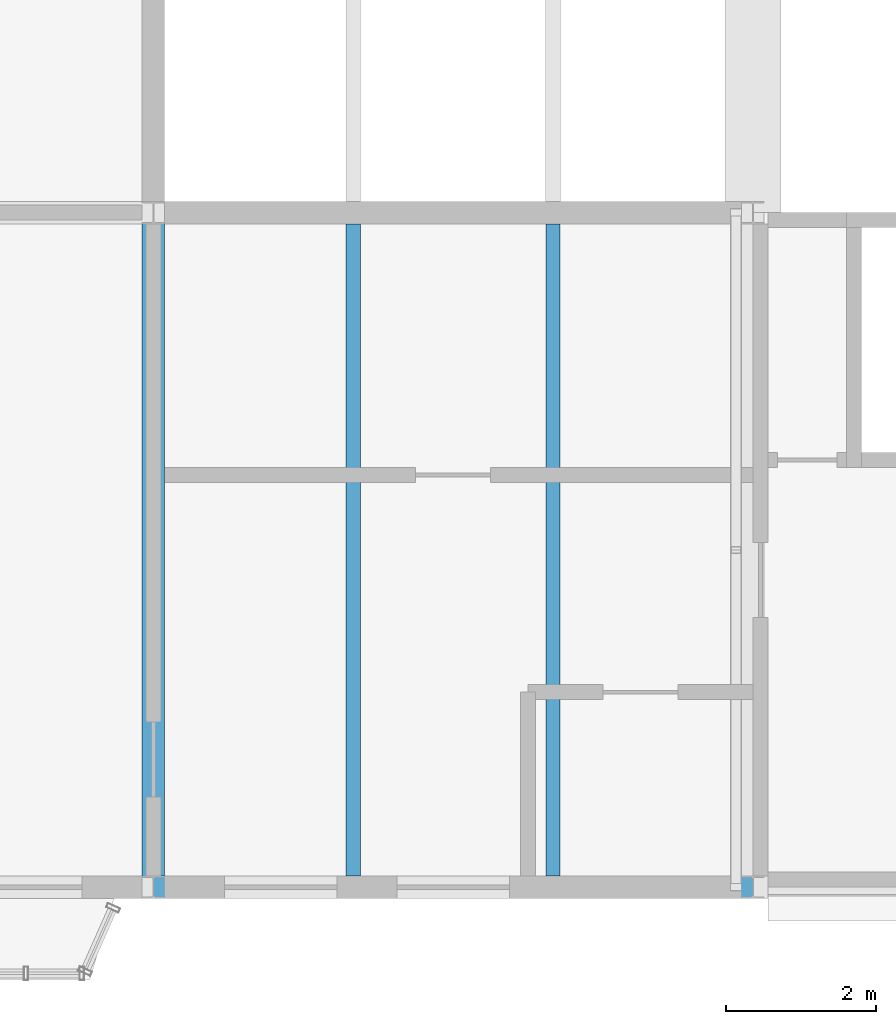
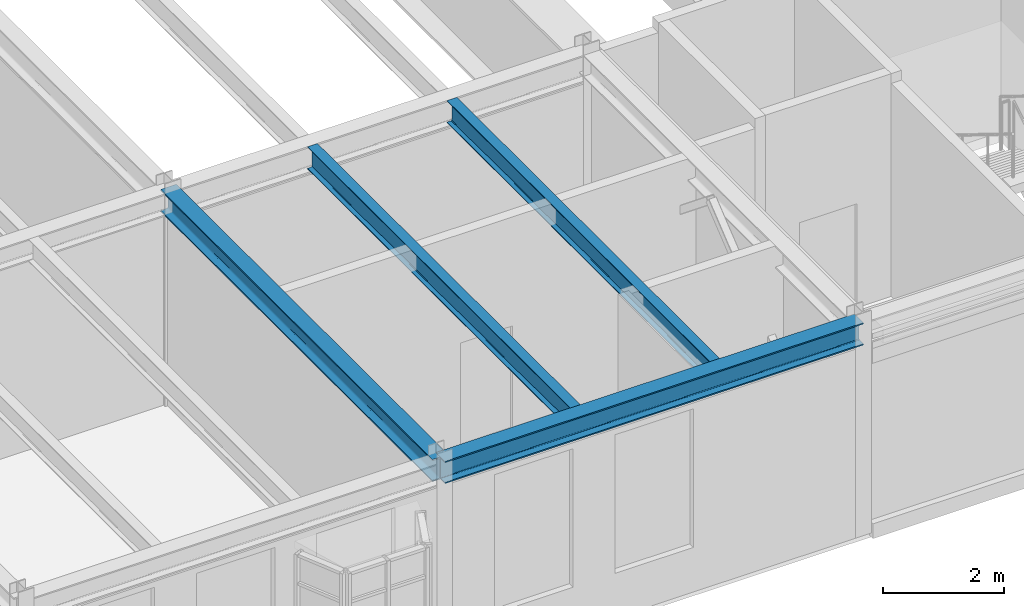
# One storey, part 17 of 153: 4 beams.
"""IFC4 building model written with IfcOpenShell, lengths in metres."""

from ifc_helpers import new_model, si_unit, direction, frame, origin, origin_2d, place, context, subcontext, project, spatial, i_section, extrude, material, material_profile, profile_set, type_object, element, save


model = new_model("IFC4")

# Units and contexts
model_context = context("Model", 3, precision=1e-05, world=origin(), true_north=direction((0.0, 1.0)))
body_context = subcontext(model_context, "Body", "Model", "MODEL_VIEW")
ifc_project = project(units=[si_unit("LENGTHUNIT", "METRE"), si_unit("AREAUNIT", "SQUARE_METRE"), si_unit("VOLUMEUNIT", "CUBIC_METRE"), si_unit("PLANEANGLEUNIT", "RADIAN"), si_unit("MASSUNIT", "GRAM", prefix="KILO")], contexts=[model_context])

# Site, building, storey
site_placement = place(None, origin())
site = spatial("IfcSite", under=ifc_project, at=site_placement, CompositionType="ELEMENT")
building_placement = place(site_placement, origin())
building = spatial("IfcBuilding", under=site, at=building_placement, Name="Kallimachos Central Library", CompositionType="ELEMENT")
storey_placement = place(building_placement, frame((0.0, 0.0, 5.39990234375)))
storey = spatial("IfcBuildingStorey", under=building, at=storey_placement, Name="L01", CompositionType="ELEMENT", Elevation=5.39990234375)

# Beams
ifc_material_1 = material(Name="Steel S355J2", Category="steel")
ifc_material_profile_1 = material_profile(ifc_material_1, i_section(OverallWidth=0.300048828125, OverallDepth=0.449951171875, WebThickness=0.013916015625, FlangeThickness=0.02587890625, FilletRadius=0.027099609375, at=origin_2d()), Name="HEB 450")
ifc_profile_set_1 = profile_set([ifc_material_profile_1], Name="Steel S355J2")
beam_type_1 = type_object("IfcBeamType", Name="HEB 450 beam", PredefinedType="BEAM", material=ifc_profile_set_1)
beam_1_placement = place(storey_placement, frame((14.0, 9.0, 4.0751953125), z_axis=(0.0, 1.0, 0.0), x_axis=(-1.0, 0.0, 0.0)))
element("IfcBeam", 1, at=beam_1_placement, inside=storey, type_object=beam_type_1, Name="V6-BEM-L01-008", PredefinedType="BEAM", context=body_context, shape_type="SweptSolid", body=[
    extrude(i_section(OverallWidth=0.300048828125, OverallDepth=0.449951171875, WebThickness=0.013916015625, FlangeThickness=0.02587890625, FilletRadius=0.027099609375, at=origin_2d()), origin(), (0.0, 0.0, 1.0), 9.0),
])
beam_2_placement = place(storey_placement, frame((14.0, 9.0, 4.0751953125), z_axis=(1.0, 0.0, 0.0), x_axis=(0.0, 1.0, 0.0)))
element("IfcBeam", 2, at=beam_2_placement, inside=storey, type_object=beam_type_1, Name="V6-BEM-L01-009", PredefinedType="BEAM", context=body_context, shape_type="SweptSolid", body=[
    extrude(i_section(OverallWidth=0.300048828125, OverallDepth=0.449951171875, WebThickness=0.013916015625, FlangeThickness=0.02587890625, FilletRadius=0.027099609375, at=origin_2d()), origin(), (0.0, 0.0, 1.0), 8.0),
])
ifc_material_2 = material(Name="Steel S355J2", Category="steel")
ifc_material_profile_2 = material_profile(ifc_material_2, i_section(OverallWidth=0.18994140625, OverallDepth=0.449951171875, WebThickness=0.009521484375, FlangeThickness=0.0146484375, FilletRadius=0.02099609375, at=origin_2d()), Name="IPE 450")
ifc_profile_set_2 = profile_set([ifc_material_profile_2], Name="Steel S355J2")
beam_type_2 = type_object("IfcBeamType", Name="IPE 450 beam", PredefinedType="BEAM", material=ifc_profile_set_2)
for number, where, z_axis, x_axis, name in (
    (3, (16.666748046875, 9.14990234375, 4.0751953125), (0.0, 1.0, 0.0), (-1.0, 0.0, 0.0), "V6-BEM-L01-028"),
    (4, (19.333251953125, 9.14990234375, 4.0751953125), (0.0, 1.0, 0.0), (-1.0, 0.0, 0.0), "V6-BEM-L01-029"),
):
    element("IfcBeam", number, at=place(storey_placement, frame(where, z_axis=z_axis, x_axis=x_axis)), inside=storey, type_object=beam_type_2, Name=name, PredefinedType="BEAM", context=body_context, shape_type="SweptSolid", body=[
        extrude(i_section(OverallWidth=0.18994140625, OverallDepth=0.449951171875, WebThickness=0.009521484375, FlangeThickness=0.0146484375, FilletRadius=0.02099609375, at=origin_2d()), origin(), (0.0, 0.0, 1.0), 8.7001953125),
    ])

save(model, "model.ifc")
